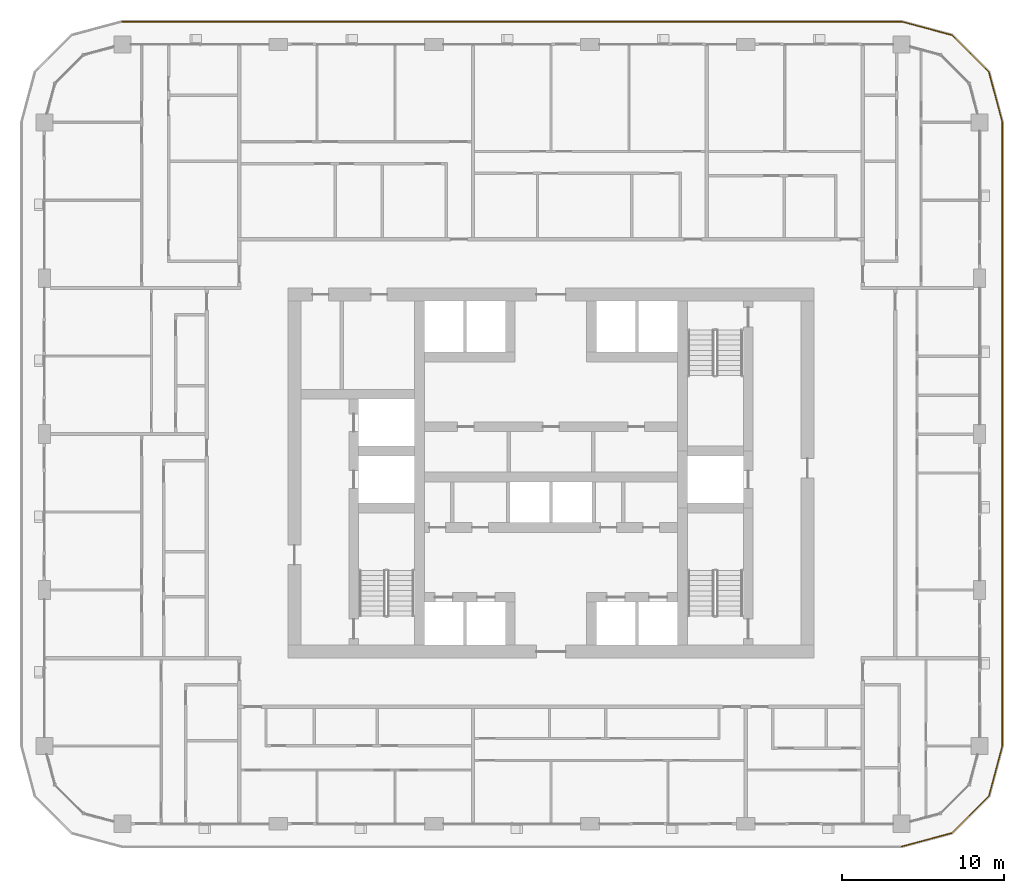
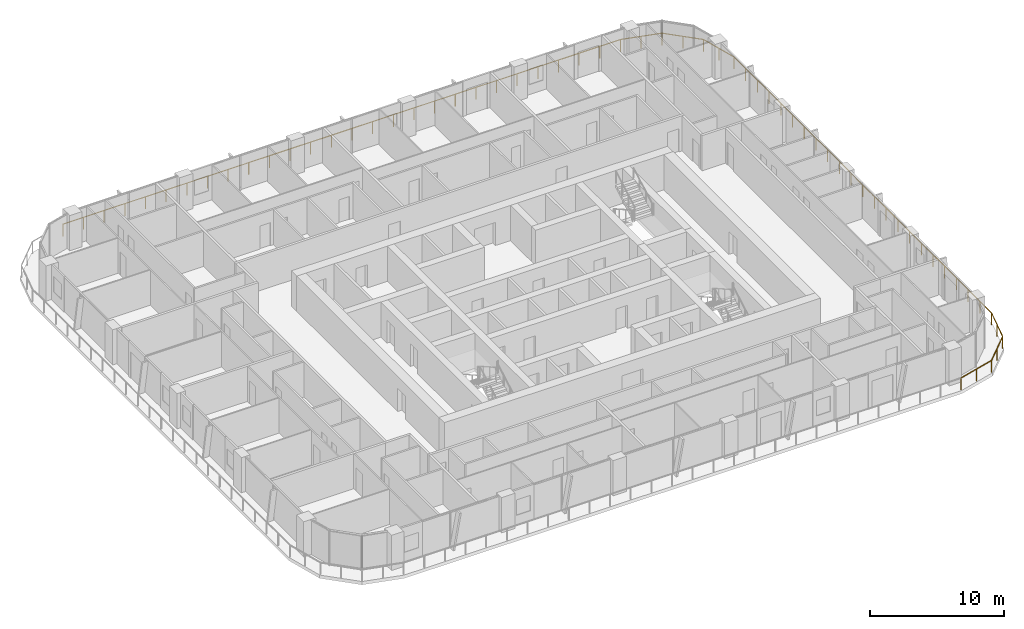
# One storey, part 20 of 22: 1 railing.
"""IFC4 building model written with IfcOpenShell, lengths in metres."""

from ifc_helpers import new_model, si_unit, direction, frame, origin, origin_2d, place, context, subcontext, project, spatial, circle, extrude, material, type_object, element, save


model = new_model("IFC4")

# Units and contexts
model_context = context("Model", 3, precision=1e-05, world=origin(), true_north=direction((0.0, 1.0)))
body_context = subcontext(model_context, "Body", "Model", "MODEL_VIEW")
ifc_project = project(units=[si_unit("LENGTHUNIT", "METRE"), si_unit("AREAUNIT", "SQUARE_METRE"), si_unit("VOLUMEUNIT", "CUBIC_METRE"), si_unit("PLANEANGLEUNIT", "RADIAN"), si_unit("MASSUNIT", "GRAM", prefix="KILO")], contexts=[model_context])

# Site, building, storey
site_placement = place(None, origin())
site = spatial("IfcSite", under=ifc_project, at=site_placement, CompositionType="ELEMENT")
building_placement = place(site_placement, origin())
building = spatial("IfcBuilding", under=site, at=building_placement, Name="Madar Terraces", CompositionType="ELEMENT")
storey_placement = place(building_placement, frame((0.0, 0.0, 122.60009765625)))
storey = spatial("IfcBuildingStorey", under=building, at=storey_placement, Name="L31", CompositionType="ELEMENT", Elevation=122.60009765625)

# Railing
ifc_material = material(Name="Glass, safety glazing, with stainless steel posts", Category="steel")
railing_type = type_object("IfcRailingType", Name="Balcony glass guard 1100", PredefinedType="GUARDRAIL", material=ifc_material)
railing_placement = place(storey_placement, frame((52.800048828125, 3.39990234375, 0.0)))
element("IfcRailing", 1, at=railing_placement, inside=storey, type_object=railing_type, Name="Balcony guard", PredefinedType="GUARDRAIL", context=body_context, shape_type="SweptSolid", body=[
    extrude(circle(Radius=0.02392578125, at=origin_2d()), frame((0.0, 0.0, 1.076171875), z_axis=(0.965909675762, 0.25887931217, 0.0), x_axis=(-0.25887931217, 0.965909675762, 0.0)), (0.0, 0.0, 1.0), 3.209228515625),
    extrude(circle(Radius=0.02392578125, at=origin_2d()), frame((3.099853515625, 0.830810546875, 1.076171875), z_axis=(0.707144815061, 0.707068745266, 0.0), x_axis=(-0.707068745266, 0.707144815061, 0.0)), (0.0, 0.0, 1.0), 3.20947265625),
    extrude(circle(Radius=0.02392578125, at=origin_2d()), frame((5.369384765625, 3.10009765625, 1.076171875), z_axis=(0.258789317819, 0.9659337912, 0.0), x_axis=(-0.9659337912, 0.258789317819, 0.0)), (0.0, 0.0, 1.0), 3.20947265625),
    extrude(circle(Radius=0.02392578125, at=origin_2d()), frame((6.199951171875, 6.2001953125, 1.076171875), z_axis=(0.0, 1.0, 0.0), x_axis=(-1.0, 0.0, 0.0)), (0.0, 0.0, 1.0), 38.39990234375),
    extrude(circle(Radius=0.02392578125, at=origin_2d()), frame((6.199951171875, 44.60009765625, 1.076171875), z_axis=(-0.258789317819, 0.9659337912, 0.0), x_axis=(-0.9659337912, -0.258789317819, 0.0)), (0.0, 0.0, 1.0), 3.20947265625),
    extrude(circle(Radius=0.02392578125, at=origin_2d()), frame((5.369384765625, 47.7001953125, 1.076171875), z_axis=(-0.707144815061, 0.707068745266, 0.0), x_axis=(-0.707068745266, -0.707144815061, 0.0)), (0.0, 0.0, 1.0), 3.20947265625),
    extrude(circle(Radius=0.02392578125, at=origin_2d()), frame((3.099853515625, 49.969482421875, 1.076171875), z_axis=(-0.965928696102, 0.258808334578, 0.0), x_axis=(-0.258808334578, -0.965928696102, 0.0)), (0.0, 0.0, 1.0), 3.209228515625),
    extrude(circle(Radius=0.02392578125, at=origin_2d()), frame((0.0, 50.800048828125, 1.076171875), z_axis=(-1.0, 0.0, 0.0), x_axis=(0.0, -1.0, 0.0)), (0.0, 0.0, 1.0), 48.0),
    extrude(circle(Radius=0.02099609375, at=origin_2d()), origin(), (0.0, 0.0, 1.0), 1.052001953125),
    extrude(circle(Radius=0.02099609375, at=origin_2d()), frame((1.5498046875, 0.41552734375, 0.0)), (0.0, 0.0, 1.0), 1.052001953125),
    extrude(circle(Radius=0.02099609375, at=origin_2d()), frame((3.099853515625, 0.830810546875, 0.0)), (0.0, 0.0, 1.0), 1.052001953125),
    extrude(circle(Radius=0.02099609375, at=origin_2d()), frame((4.234619140625, 1.96533203125, 0.0)), (0.0, 0.0, 1.0), 1.052001953125),
    extrude(circle(Radius=0.02099609375, at=origin_2d()), frame((5.369384765625, 3.10009765625, 0.0)), (0.0, 0.0, 1.0), 1.052001953125),
    extrude(circle(Radius=0.02099609375, at=origin_2d()), frame((5.78466796875, 4.650146484375, 0.0)), (0.0, 0.0, 1.0), 1.052001953125),
    extrude(circle(Radius=0.02099609375, at=origin_2d()), frame((6.199951171875, 6.2001953125, 0.0)), (0.0, 0.0, 1.0), 1.052001953125),
    extrude(circle(Radius=0.02099609375, at=origin_2d()), frame((6.199951171875, 7.945556640625, 0.0)), (0.0, 0.0, 1.0), 1.052001953125),
    extrude(circle(Radius=0.02099609375, at=origin_2d()), frame((6.199951171875, 9.691162109375, 0.0)), (0.0, 0.0, 1.0), 1.052001953125),
    extrude(circle(Radius=0.02099609375, at=origin_2d()), frame((6.199951171875, 11.4365234375, 0.0)), (0.0, 0.0, 1.0), 1.052001953125),
    extrude(circle(Radius=0.02099609375, at=origin_2d()), frame((6.199951171875, 13.181884765625, 0.0)), (0.0, 0.0, 1.0), 1.052001953125),
    extrude(circle(Radius=0.02099609375, at=origin_2d()), frame((6.199951171875, 14.927490234375, 0.0)), (0.0, 0.0, 1.0), 1.052001953125),
    extrude(circle(Radius=0.02099609375, at=origin_2d()), frame((6.199951171875, 16.6728515625, 0.0)), (0.0, 0.0, 1.0), 1.052001953125),
    extrude(circle(Radius=0.02099609375, at=origin_2d()), frame((6.199951171875, 18.41845703125, 0.0)), (0.0, 0.0, 1.0), 1.052001953125),
    extrude(circle(Radius=0.02099609375, at=origin_2d()), frame((6.199951171875, 20.163818359375, 0.0)), (0.0, 0.0, 1.0), 1.052001953125),
    extrude(circle(Radius=0.02099609375, at=origin_2d()), frame((6.199951171875, 21.9091796875, 0.0)), (0.0, 0.0, 1.0), 1.052001953125),
    extrude(circle(Radius=0.02099609375, at=origin_2d()), frame((6.199951171875, 23.65478515625, 0.0)), (0.0, 0.0, 1.0), 1.052001953125),
    extrude(circle(Radius=0.02099609375, at=origin_2d()), frame((6.199951171875, 25.400146484375, 0.0)), (0.0, 0.0, 1.0), 1.052001953125),
    extrude(circle(Radius=0.02099609375, at=origin_2d()), frame((6.199951171875, 27.1455078125, 0.0)), (0.0, 0.0, 1.0), 1.052001953125),
    extrude(circle(Radius=0.02099609375, at=origin_2d()), frame((6.199951171875, 28.89111328125, 0.0)), (0.0, 0.0, 1.0), 1.052001953125),
    extrude(circle(Radius=0.02099609375, at=origin_2d()), frame((6.199951171875, 30.636474609375, 0.0)), (0.0, 0.0, 1.0), 1.052001953125),
    extrude(circle(Radius=0.02099609375, at=origin_2d()), frame((6.199951171875, 32.3818359375, 0.0)), (0.0, 0.0, 1.0), 1.052001953125),
    extrude(circle(Radius=0.02099609375, at=origin_2d()), frame((6.199951171875, 34.12744140625, 0.0)), (0.0, 0.0, 1.0), 1.052001953125),
    extrude(circle(Radius=0.02099609375, at=origin_2d()), frame((6.199951171875, 35.872802734375, 0.0)), (0.0, 0.0, 1.0), 1.052001953125),
    extrude(circle(Radius=0.02099609375, at=origin_2d()), frame((6.199951171875, 37.618408203125, 0.0)), (0.0, 0.0, 1.0), 1.052001953125),
    extrude(circle(Radius=0.02099609375, at=origin_2d()), frame((6.199951171875, 39.36376953125, 0.0)), (0.0, 0.0, 1.0), 1.052001953125),
    extrude(circle(Radius=0.02099609375, at=origin_2d()), frame((6.199951171875, 41.109130859375, 0.0)), (0.0, 0.0, 1.0), 1.052001953125),
    extrude(circle(Radius=0.02099609375, at=origin_2d()), frame((6.199951171875, 42.854736328125, 0.0)), (0.0, 0.0, 1.0), 1.052001953125),
    extrude(circle(Radius=0.02099609375, at=origin_2d()), frame((6.199951171875, 44.60009765625, 0.0)), (0.0, 0.0, 1.0), 1.052001953125),
    extrude(circle(Radius=0.02099609375, at=origin_2d()), frame((5.78466796875, 46.150146484375, 0.0)), (0.0, 0.0, 1.0), 1.052001953125),
    extrude(circle(Radius=0.02099609375, at=origin_2d()), frame((5.369384765625, 47.7001953125, 0.0)), (0.0, 0.0, 1.0), 1.052001953125),
    extrude(circle(Radius=0.02099609375, at=origin_2d()), frame((4.234619140625, 48.8349609375, 0.0)), (0.0, 0.0, 1.0), 1.052001953125),
    extrude(circle(Radius=0.02099609375, at=origin_2d()), frame((3.099853515625, 49.969482421875, 0.0)), (0.0, 0.0, 1.0), 1.052001953125),
    extrude(circle(Radius=0.02099609375, at=origin_2d()), frame((1.5498046875, 50.384765625, 0.0)), (0.0, 0.0, 1.0), 1.052001953125),
    extrude(circle(Radius=0.02099609375, at=origin_2d()), frame((0.0, 50.800048828125, 0.0)), (0.0, 0.0, 1.0), 1.052001953125),
    extrude(circle(Radius=0.02099609375, at=origin_2d()), frame((-1.77783203125, 50.800048828125, 0.0)), (0.0, 0.0, 1.0), 1.052001953125),
    extrude(circle(Radius=0.02099609375, at=origin_2d()), frame((-3.5556640625, 50.800048828125, 0.0)), (0.0, 0.0, 1.0), 1.052001953125),
    extrude(circle(Radius=0.02099609375, at=origin_2d()), frame((-5.333251953125, 50.800048828125, 0.0)), (0.0, 0.0, 1.0), 1.052001953125),
    extrude(circle(Radius=0.02099609375, at=origin_2d()), frame((-7.111083984375, 50.800048828125, 0.0)), (0.0, 0.0, 1.0), 1.052001953125),
    extrude(circle(Radius=0.02099609375, at=origin_2d()), frame((-8.888916015625, 50.800048828125, 0.0)), (0.0, 0.0, 1.0), 1.052001953125),
    extrude(circle(Radius=0.02099609375, at=origin_2d()), frame((-10.666748046875, 50.800048828125, 0.0)), (0.0, 0.0, 1.0), 1.052001953125),
    extrude(circle(Radius=0.02099609375, at=origin_2d()), frame((-12.4443359375, 50.800048828125, 0.0)), (0.0, 0.0, 1.0), 1.052001953125),
    extrude(circle(Radius=0.02099609375, at=origin_2d()), frame((-14.22216796875, 50.800048828125, 0.0)), (0.0, 0.0, 1.0), 1.052001953125),
    extrude(circle(Radius=0.02099609375, at=origin_2d()), frame((-16.0, 50.800048828125, 0.0)), (0.0, 0.0, 1.0), 1.052001953125),
    extrude(circle(Radius=0.02099609375, at=origin_2d()), frame((-17.77783203125, 50.800048828125, 0.0)), (0.0, 0.0, 1.0), 1.052001953125),
    extrude(circle(Radius=0.02099609375, at=origin_2d()), frame((-19.5556640625, 50.800048828125, 0.0)), (0.0, 0.0, 1.0), 1.052001953125),
    extrude(circle(Radius=0.02099609375, at=origin_2d()), frame((-21.333251953125, 50.800048828125, 0.0)), (0.0, 0.0, 1.0), 1.052001953125),
    extrude(circle(Radius=0.02099609375, at=origin_2d()), frame((-23.111083984375, 50.800048828125, 0.0)), (0.0, 0.0, 1.0), 1.052001953125),
    extrude(circle(Radius=0.02099609375, at=origin_2d()), frame((-24.888916015625, 50.800048828125, 0.0)), (0.0, 0.0, 1.0), 1.052001953125),
    extrude(circle(Radius=0.02099609375, at=origin_2d()), frame((-26.666748046875, 50.800048828125, 0.0)), (0.0, 0.0, 1.0), 1.052001953125),
    extrude(circle(Radius=0.02099609375, at=origin_2d()), frame((-28.4443359375, 50.800048828125, 0.0)), (0.0, 0.0, 1.0), 1.052001953125),
    extrude(circle(Radius=0.02099609375, at=origin_2d()), frame((-30.22216796875, 50.800048828125, 0.0)), (0.0, 0.0, 1.0), 1.052001953125),
    extrude(circle(Radius=0.02099609375, at=origin_2d()), frame((-32.0, 50.800048828125, 0.0)), (0.0, 0.0, 1.0), 1.052001953125),
    extrude(circle(Radius=0.02099609375, at=origin_2d()), frame((-33.77783203125, 50.800048828125, 0.0)), (0.0, 0.0, 1.0), 1.052001953125),
    extrude(circle(Radius=0.02099609375, at=origin_2d()), frame((-35.5556640625, 50.800048828125, 0.0)), (0.0, 0.0, 1.0), 1.052001953125),
    extrude(circle(Radius=0.02099609375, at=origin_2d()), frame((-37.333251953125, 50.800048828125, 0.0)), (0.0, 0.0, 1.0), 1.052001953125),
    extrude(circle(Radius=0.02099609375, at=origin_2d()), frame((-39.111083984375, 50.800048828125, 0.0)), (0.0, 0.0, 1.0), 1.052001953125),
    extrude(circle(Radius=0.02099609375, at=origin_2d()), frame((-40.888916015625, 50.800048828125, 0.0)), (0.0, 0.0, 1.0), 1.052001953125),
    extrude(circle(Radius=0.02099609375, at=origin_2d()), frame((-42.666748046875, 50.800048828125, 0.0)), (0.0, 0.0, 1.0), 1.052001953125),
    extrude(circle(Radius=0.02099609375, at=origin_2d()), frame((-44.4443359375, 50.800048828125, 0.0)), (0.0, 0.0, 1.0), 1.052001953125),
    extrude(circle(Radius=0.02099609375, at=origin_2d()), frame((-46.22216796875, 50.800048828125, 0.0)), (0.0, 0.0, 1.0), 1.052001953125),
    extrude(circle(Radius=0.02099609375, at=origin_2d()), frame((-48.0, 50.800048828125, 0.0)), (0.0, 0.0, 1.0), 1.052001953125),
])

save(model, "model.ifc")
